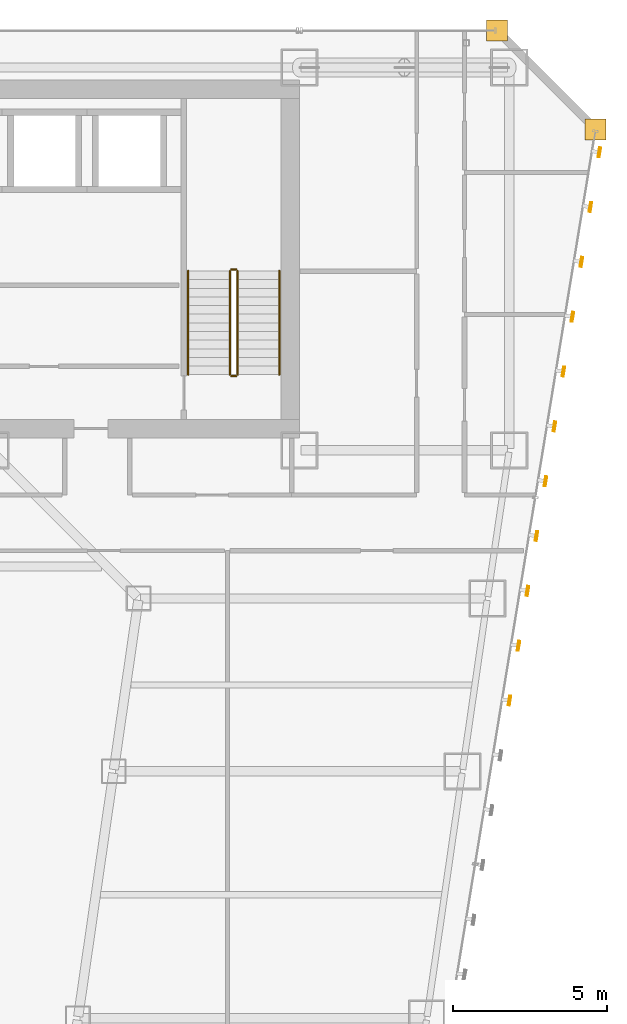
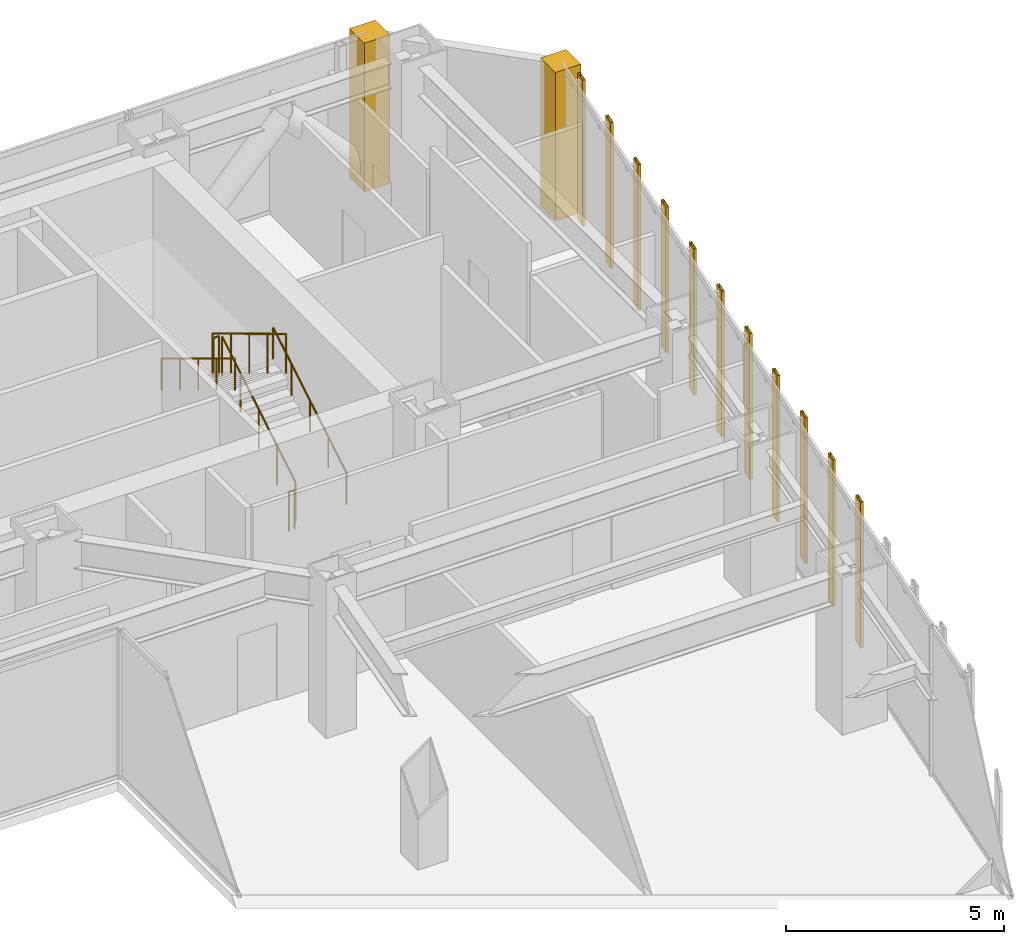
# One storey, part 47 of 47: 11 shading devices, 6 railings, 2 coverings.
"""IFC4 building model written with IfcOpenShell, lengths in metres."""

from ifc_helpers import new_model, si_unit, direction, frame, origin, origin_2d, place, context, subcontext, project, spatial, polyline, hollow_rectangle, circle, outline, extrude, material, layer, layer_set, material_profile, profile_set, type_object, element, save


model = new_model("IFC4")

# Units and contexts
model_context = context("Model", 3, precision=1e-05, world=origin(), true_north=direction((0.0, 1.0)))
body_context = subcontext(model_context, "Body", "Model", "MODEL_VIEW")
ifc_project = project(units=[si_unit("LENGTHUNIT", "METRE"), si_unit("AREAUNIT", "SQUARE_METRE"), si_unit("VOLUMEUNIT", "CUBIC_METRE"), si_unit("PLANEANGLEUNIT", "RADIAN"), si_unit("MASSUNIT", "GRAM", prefix="KILO")], contexts=[model_context])

# Site, building, storey
site_placement = place(None, origin())
site = spatial("IfcSite", under=ifc_project, at=site_placement, CompositionType="ELEMENT")
building_placement = place(site_placement, origin())
building = spatial("IfcBuilding", under=site, at=building_placement, Name="Saevonmaru Cultural Tower", CompositionType="ELEMENT")
storey_placement = place(building_placement, frame((0.0, 0.0, 42.800048828125)))
storey = spatial("IfcBuildingStorey", under=building, at=storey_placement, Name="L08", CompositionType="ELEMENT", Elevation=42.800048828125)

# Coverings
ifc_material_1 = material(Name="Satin Bronze Anodised Aluminium", Category="aluminium")
ifc_layer = layer(ifc_material_1, 0.679931640625, Name="Satin Bronze Anodised Aluminium")
ifc_layer_set = layer_set([ifc_layer], Name="Satin Bronze Anodised Aluminium")
covering_type = type_object("IfcCoveringType", Name="CV-CORNER-CLAD", PredefinedType="CLADDING", material=ifc_layer_set)
covering_1_placement = place(storey_placement, origin())
element("IfcCovering", 1, at=covering_1_placement, inside=storey, type_object=covering_type, Name="L08 Tower Bronze Corner Cladding Pier 9", PredefinedType="CLADDING", context=body_context, shape_type="SweptSolid", body=[
    extrude(outline(polyline([(55.659912109375, 52.4599609375), (56.340087890625, 52.4599609375), (56.340087890625, 53.139892578125), (55.659912109375, 53.139892578125), (55.659912109375, 52.4599609375)])), origin(), (0.0, 0.0, 1.0), 4.14990234375),
])
covering_2_placement = place(storey_placement, origin())
element("IfcCovering", 2, at=covering_2_placement, inside=storey, type_object=covering_type, Name="L08 Tower Bronze Corner Cladding Pier 10", PredefinedType="CLADDING", context=body_context, shape_type="SweptSolid", body=[
    extrude(outline(polyline([(52.4599609375, 55.659912109375), (53.139892578125, 55.659912109375), (53.139892578125, 56.340087890625), (52.4599609375, 56.340087890625), (52.4599609375, 55.659912109375)])), origin(), (0.0, 0.0, 1.0), 4.14990234375),
])

# Railings
ifc_material_2 = material(Name="Architectural Painted Steel", Category="steel")
railing_type_1 = type_object("IfcRailingType", Name="RL-STAIR-GUARD", PredefinedType="GUARDRAIL", material=ifc_material_2)
railing_1_placement = place(storey_placement, frame((44.39990234375, 44.85009765625, 0.169189453125)))
element("IfcRailing", 3, at=railing_1_placement, inside=storey, type_object=railing_type_1, Name="L08 ST-2 stair guard 1", PredefinedType="GUARDRAIL", context=body_context, shape_type="SweptSolid", body=[
    extrude(circle(Radius=0.02392578125, at=origin_2d()), frame((0.0, 0.0, 1.09619140625), z_axis=(0.0, 0.855820338506, 0.51727318527), x_axis=(-1.0, 0.0, 0.0)), (0.0, 0.0, 1.0), 3.92578125),
    extrude(circle(Radius=0.02099609375, at=origin_2d()), origin(), (0.0, 0.0, 1.0), 1.072021484375),
    extrude(circle(Radius=0.02099609375, at=origin_2d()), frame((0.0, 0.83984375, 0.5078125)), (0.0, 0.0, 1.0), 1.072021484375),
    extrude(circle(Radius=0.02099609375, at=origin_2d()), frame((0.0, 1.679931640625, 1.015380859375)), (0.0, 0.0, 1.0), 1.072021484375),
    extrude(circle(Radius=0.02099609375, at=origin_2d()), frame((0.0, 2.52001953125, 1.52294921875)), (0.0, 0.0, 1.0), 1.072021484375),
    extrude(circle(Radius=0.02099609375, at=origin_2d()), frame((0.0, 3.35986328125, 2.03076171875)), (0.0, 0.0, 1.0), 1.072021484375),
])
railing_2_placement = place(storey_placement, frame((44.35009765625, 48.260009765625, 2.199951171875)))
element("IfcRailing", 4, at=railing_2_placement, inside=storey, type_object=railing_type_1, Name="L08 ST-2 stair guard 2", PredefinedType="GUARDRAIL", context=body_context, shape_type="SweptSolid", body=[
    extrude(circle(Radius=0.02392578125, at=origin_2d()), frame((0.0, 0.0, 1.09619140625), z_axis=(-1.0, 0.0, 0.0), x_axis=(0.0, -1.0, 0.0)), (0.0, 0.0, 1.0), 0.150146484375),
    extrude(circle(Radius=0.02099609375, at=origin_2d()), origin(), (0.0, 0.0, 1.0), 1.072021484375),
    extrude(circle(Radius=0.02099609375, at=origin_2d()), frame((-0.150146484375, 0.0, 0.0)), (0.0, 0.0, 1.0), 1.072021484375),
])
railing_3_placement = place(storey_placement, frame((44.14990234375, 48.2099609375, 2.369140625)))
element("IfcRailing", 5, at=railing_3_placement, inside=storey, type_object=railing_type_1, Name="L08 ST-2 stair guard 3", PredefinedType="GUARDRAIL", context=body_context, shape_type="SweptSolid", body=[
    extrude(circle(Radius=0.02392578125, at=origin_2d()), frame((0.0, 0.0, 1.09619140625), z_axis=(0.0, -0.855820338506, 0.51727318527), x_axis=(1.0, 0.0, 0.0)), (0.0, 0.0, 1.0), 3.92578125),
    extrude(circle(Radius=0.02099609375, at=origin_2d()), origin(), (0.0, 0.0, 1.0), 1.072021484375),
    extrude(circle(Radius=0.02099609375, at=origin_2d()), frame((0.0, -0.83984375, 0.5078125)), (0.0, 0.0, 1.0), 1.072021484375),
    extrude(circle(Radius=0.02099609375, at=origin_2d()), frame((0.0, -1.679931640625, 1.015380859375)), (0.0, 0.0, 1.0), 1.072021484375),
    extrude(circle(Radius=0.02099609375, at=origin_2d()), frame((0.0, -2.52001953125, 1.52294921875)), (0.0, 0.0, 1.0), 1.072021484375),
    extrude(circle(Radius=0.02099609375, at=origin_2d()), frame((0.0, -3.35986328125, 2.03076171875)), (0.0, 0.0, 1.0), 1.072021484375),
])
railing_4_placement = place(storey_placement, frame((44.35009765625, 44.800048828125, 0.0)))
element("IfcRailing", 6, at=railing_4_placement, inside=storey, type_object=railing_type_1, Name="L08 ST-2 stair guard 4", PredefinedType="GUARDRAIL", context=body_context, shape_type="SweptSolid", body=[
    extrude(circle(Radius=0.02392578125, at=origin_2d()), frame((0.0, 0.0, 1.09619140625), z_axis=(-1.0, 0.0, 0.0), x_axis=(0.0, -1.0, 0.0)), (0.0, 0.0, 1.0), 0.150146484375),
    extrude(circle(Radius=0.02099609375, at=origin_2d()), origin(), (0.0, 0.0, 1.0), 1.072021484375),
    extrude(circle(Radius=0.02099609375, at=origin_2d()), frame((-0.150146484375, 0.0, 0.0)), (0.0, 0.0, 1.0), 1.072021484375),
])
railing_type_2 = type_object("IfcRailingType", Name="RL-STAIR-HANDRAIL", PredefinedType="HANDRAIL", material=ifc_material_1)
railing_5_placement = place(storey_placement, frame((45.75, 44.85009765625, 0.169189453125)))
element("IfcRailing", 7, at=railing_5_placement, inside=storey, type_object=railing_type_2, Name="L08 ST-2 stair handrail 1", PredefinedType="HANDRAIL", context=body_context, shape_type="SweptSolid", body=[
    extrude(circle(Radius=0.02392578125, at=origin_2d()), frame((0.0, 0.0, 0.8759765625), z_axis=(0.0, 0.855820338506, 0.51727318527), x_axis=(-1.0, 0.0, 0.0)), (0.0, 0.0, 1.0), 3.92578125),
    extrude(circle(Radius=0.02099609375, at=origin_2d()), origin(), (0.0, 0.0, 1.0), 0.851806640625),
    extrude(circle(Radius=0.02099609375, at=origin_2d()), frame((0.0, 0.83984375, 0.5078125)), (0.0, 0.0, 1.0), 0.851806640625),
    extrude(circle(Radius=0.02099609375, at=origin_2d()), frame((0.0, 1.679931640625, 1.015380859375)), (0.0, 0.0, 1.0), 0.851806640625),
    extrude(circle(Radius=0.02099609375, at=origin_2d()), frame((0.0, 2.52001953125, 1.52294921875)), (0.0, 0.0, 1.0), 0.851806640625),
    extrude(circle(Radius=0.02099609375, at=origin_2d()), frame((0.0, 3.35986328125, 2.03076171875)), (0.0, 0.0, 1.0), 0.851806640625),
])
railing_6_placement = place(storey_placement, frame((42.800048828125, 48.2099609375, 2.369140625)))
element("IfcRailing", 8, at=railing_6_placement, inside=storey, type_object=railing_type_2, Name="L08 ST-2 stair handrail 2", PredefinedType="HANDRAIL", context=body_context, shape_type="SweptSolid", body=[
    extrude(circle(Radius=0.02392578125, at=origin_2d()), frame((0.0, 0.0, 0.8759765625), z_axis=(0.0, -0.855820338506, 0.51727318527), x_axis=(1.0, 0.0, 0.0)), (0.0, 0.0, 1.0), 3.92578125),
    extrude(circle(Radius=0.02099609375, at=origin_2d()), origin(), (0.0, 0.0, 1.0), 0.851806640625),
    extrude(circle(Radius=0.02099609375, at=origin_2d()), frame((0.0, -0.83984375, 0.5078125)), (0.0, 0.0, 1.0), 0.851806640625),
    extrude(circle(Radius=0.02099609375, at=origin_2d()), frame((0.0, -1.679931640625, 1.015380859375)), (0.0, 0.0, 1.0), 0.851806640625),
    extrude(circle(Radius=0.02099609375, at=origin_2d()), frame((0.0, -2.52001953125, 1.52294921875)), (0.0, 0.0, 1.0), 0.851806640625),
    extrude(circle(Radius=0.02099609375, at=origin_2d()), frame((0.0, -3.35986328125, 2.03076171875)), (0.0, 0.0, 1.0), 0.851806640625),
])

# Shading devices
ifc_material_profile = material_profile(ifc_material_1, hollow_rectangle(XDim=0.070068359375, YDim=0.320068359375, WallThickness=0.0048828125, at=origin_2d()), Name="FIN-320x70")
ifc_profile_set = profile_set([ifc_material_profile], Name="Satin Bronze Anodised Aluminium")
shading_device_type = type_object("IfcShadingDeviceType", Name="SHD-FIN-320", PredefinedType="JALOUSIE", material=ifc_profile_set)
for number, where, z_axis, x_axis, name in (
    (9, (53.210205078125, 34.2900390625, 0.050048828125), (0.0, 0.0, 1.0), (0.986827496189, -0.161776057456, 0.0), "L08 Art Deco Sawtooth Bronze Fin E8-17"),
    (10, (53.501220703125, 36.06640625, 0.050048828125), (0.0, 0.0, 1.0), (0.986827496189, -0.161776057456, 0.0), "L08 Art Deco Sawtooth Bronze Fin E8-18"),
    (11, (53.792236328125, 37.8427734375, 0.050048828125), (0.0, 0.0, 1.0), (0.986827496189, -0.161776057456, 0.0), "L08 Art Deco Sawtooth Bronze Fin E8-19"),
    (12, (54.083251953125, 39.618896484375, 0.050048828125), (0.0, 0.0, 1.0), (0.986827496189, -0.161776057456, 0.0), "L08 Art Deco Sawtooth Bronze Fin E8-20"),
    (13, (54.37451171875, 41.3955078125, 0.050048828125), (0.0, 0.0, 1.0), (0.986827496189, -0.161776057456, 0.0), "L08 Art Deco Sawtooth Bronze Fin E8-21"),
    (14, (54.665283203125, 43.171630859375, 0.050048828125), (0.0, 0.0, 1.0), (0.986827496189, -0.161776057456, 0.0), "L08 Art Deco Sawtooth Bronze Fin E8-22"),
    (15, (54.95654296875, 44.947998046875, 0.050048828125), (0.0, 0.0, 1.0), (0.986827496189, -0.161776057456, 0.0), "L08 Art Deco Sawtooth Bronze Fin E8-23"),
    (16, (55.24755859375, 46.724365234375, 0.050048828125), (0.0, 0.0, 1.0), (0.986827496189, -0.161776057456, 0.0), "L08 Art Deco Sawtooth Bronze Fin E8-24"),
    (17, (55.538818359375, 48.50048828125, 0.050048828125), (0.0, 0.0, 1.0), (0.986827496189, -0.161776057456, 0.0), "L08 Art Deco Sawtooth Bronze Fin E8-25"),
    (18, (55.829833984375, 50.27685546875, 0.050048828125), (0.0, 0.0, 1.0), (0.986827496189, -0.161776057456, 0.0), "L08 Art Deco Sawtooth Bronze Fin E8-26"),
    (19, (56.120849609375, 52.05322265625, 0.050048828125), (0.0, 0.0, 1.0), (0.986827496189, -0.161776057456, 0.0), "L08 Art Deco Sawtooth Bronze Fin E8-27"),
):
    element("IfcShadingDevice", number, at=place(storey_placement, frame(where, z_axis=z_axis, x_axis=x_axis)), inside=storey, type_object=shading_device_type, Name=name, PredefinedType="JALOUSIE", context=body_context, shape_type="SweptSolid", body=[
        extrude(hollow_rectangle(XDim=0.070068359375, YDim=0.320068359375, WallThickness=0.0048828125, at=origin_2d()), origin(), (0.0, 0.0, 1.0), 4.079833984375),
    ])

save(model, "model.ifc")
